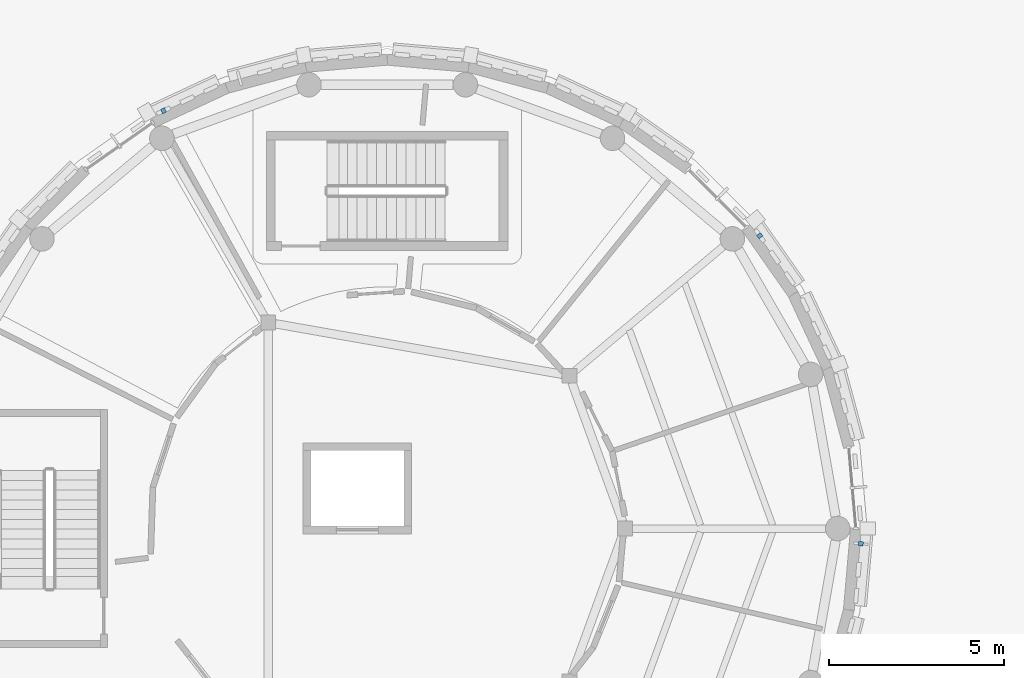
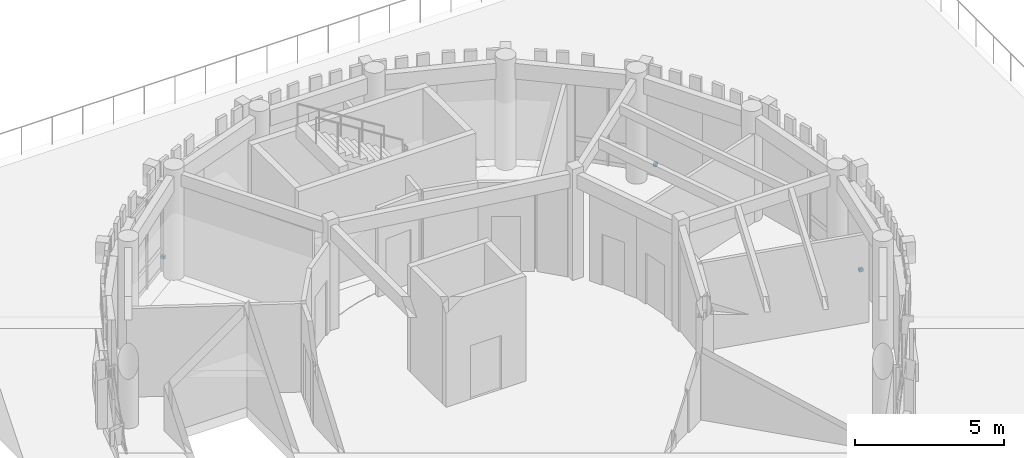
# One storey, part 63 of 94: 3 discrete accessories.
"""IFC4 building model written with IfcOpenShell, lengths in metres."""

from ifc_helpers import new_model, si_unit, direction, frame, origin, origin_2d, place, context, subcontext, project, spatial, rectangle, extrude, material, type_object, element, save


model = new_model("IFC4")

# Units and contexts
model_context = context("Model", 3, precision=1e-05, world=origin(), true_north=direction((0.0, 1.0)))
body_context = subcontext(model_context, "Body", "Model", "MODEL_VIEW")
ifc_project = project(units=[si_unit("LENGTHUNIT", "METRE"), si_unit("AREAUNIT", "SQUARE_METRE"), si_unit("VOLUMEUNIT", "CUBIC_METRE"), si_unit("PLANEANGLEUNIT", "RADIAN"), si_unit("MASSUNIT", "GRAM", prefix="KILO")], contexts=[model_context])

# Site, building, storey
site_placement = place(None, origin())
site = spatial("IfcSite", under=ifc_project, at=site_placement, CompositionType="ELEMENT")
building_placement = place(site_placement, origin())
building = spatial("IfcBuilding", under=site, at=building_placement, Name="Aldenvaro Health Centre", CompositionType="ELEMENT")
storey_placement = place(building_placement, origin())
storey = spatial("IfcBuildingStorey", under=building, at=storey_placement, Name="L00", CompositionType="ELEMENT", Elevation=0.0)

# Discrete accessories
ifc_material = material(Name="Stainless Steel AISI 316", Category="steel")
discrete_accessory_type = type_object("IfcDiscreteAccessoryType", Name="ACC-BRK-01", PredefinedType="BRACKET", material=ifc_material)
for number, where, z_axis, x_axis, name in (
    (1, (32.0380859375, 99.06591796875, 0.18994140625), (0.0, 0.0, 1.0), (-0.087331575855, -0.996179299052, 0.0), "D4 L00 stainless fin bracket 1"),
    (2, (12.10693359375, 111.44091796875, 0.18994140625), (0.0, 0.0, 1.0), (0.90633620484, 0.422557314215, 0.0), "D4 L00 stainless fin bracket 25"),
    (3, (29.14892578125, 107.868896484375, 0.18994140625), (0.0, 0.0, 1.0), (0.573720929857, -0.819050849853, 0.0), "D4 L00 stainless fin bracket 33"),
):
    element("IfcDiscreteAccessory", number, at=place(storey_placement, frame(where, z_axis=z_axis, x_axis=x_axis)), inside=storey, type_object=discrete_accessory_type, Name=name, PredefinedType="BRACKET", context=body_context, shape_type="SweptSolid", body=[
        extrude(rectangle(XDim=0.1201171875, YDim=0.139892578125, at=origin_2d()), origin(), (0.0, 0.0, 1.0), 0.1201171875),
    ])

save(model, "model.ifc")
